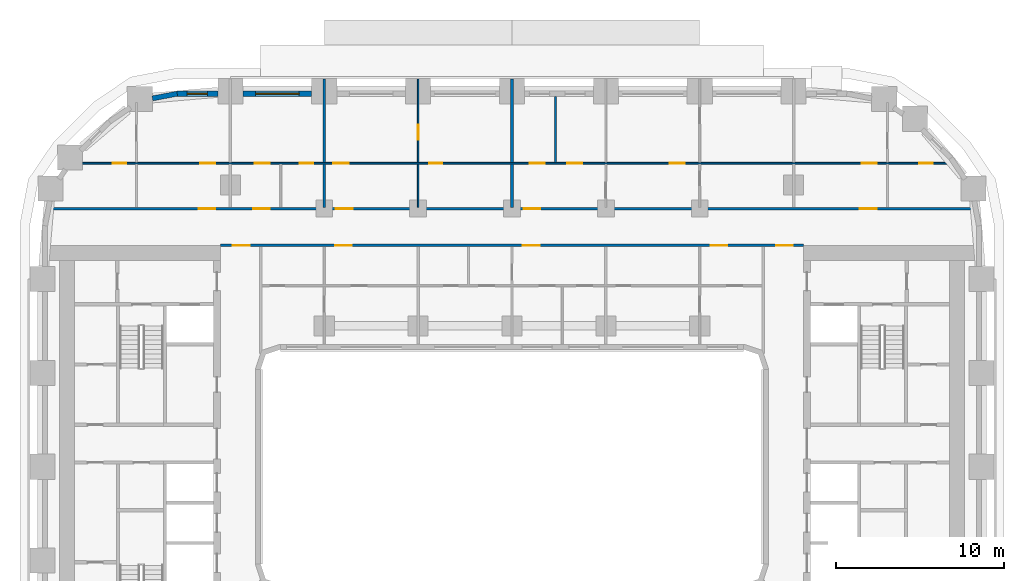
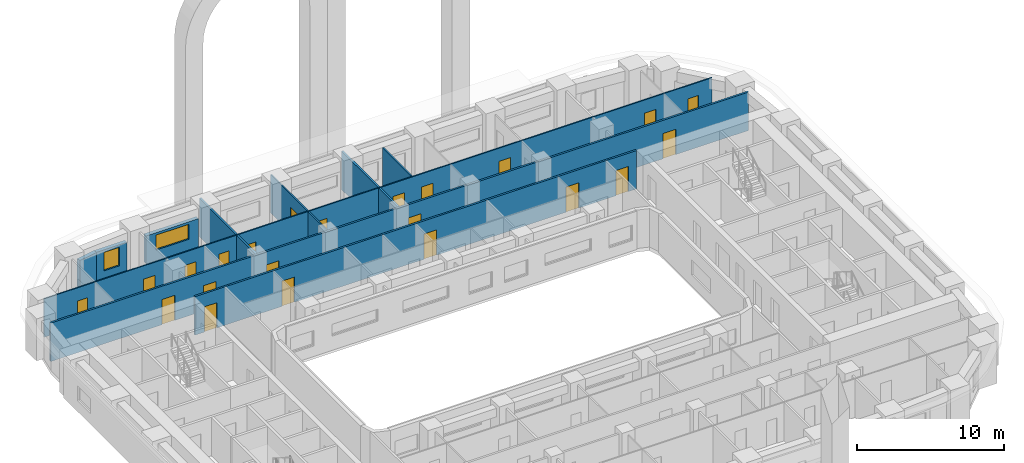
# One storey, part 8 of 21: 22 doors, 13 walls, 2 windows, 24 openings.
"""IFC4 building model written with IfcOpenShell, lengths in metres."""

import ifcopenshell
import ifcopenshell.guid

model = None  # the IFC model being written
_history = None  # IfcOwnerHistory: only IFC2X3 demands one
_inside = {}  # id of a spatial element -> (the spatial element, [elements in it])
_under = {}  # id of a project, library or spatial element -> (it, [spatial elements below it])
_declared = {}  # id of a project -> (the project, [libraries it declares])
_typed = {}  # id of a type object -> (the type object, [elements of that type])
_made_of = {}  # id of a material, layer set ... -> (it, [elements and type objects made of it])


def new_model(schema):
    """Start an empty IFC model of exactly this schema.

    Asked for "IFC4X3", IfcOpenShell would pick the latest addendum, in which some entities
    have other attributes; the version numbers below select the first issue.
    IFC2X3 requires an IfcOwnerHistory on every rooted entity: one is made here for all.
    """
    global model, _history
    if schema == "IFC4X3":
        model = ifcopenshell.file(schema_version=(4, 3, 0, 0))
    else:
        model = ifcopenshell.file(schema=schema)
    _inside.clear()
    _under.clear()
    _declared.clear()
    _typed.clear()
    _made_of.clear()
    _history = None
    if model.schema == "IFC2X3":
        org = make("IfcOrganization", Name="unknown")
        user = make(
            "IfcPersonAndOrganization",
            ThePerson=make("IfcPerson", FamilyName="unknown"),
            TheOrganization=org,
        )
        app = make(
            "IfcApplication",
            ApplicationDeveloper=org,
            Version="unknown",
            ApplicationFullName="unknown",
            ApplicationIdentifier="unknown",
        )
        _history = make(
            "IfcOwnerHistory",
            OwningUser=user,
            OwningApplication=app,
            ChangeAction="ADDED",
            CreationDate=0,
        )
    return model


def make(cls, **values):
    """One entity of the class cls with the attributes given. An attribute that is None is left unset."""
    return model.create_entity(
        cls, **{name: value for name, value in values.items() if value is not None}
    )


def rooted(cls, **values):
    """An entity with a GlobalId (a new one), such as an element, a storey or a relation."""
    return make(cls, GlobalId=ifcopenshell.guid.new(), OwnerHistory=_history, **values)


def si_unit(unit_type, name, prefix=None):
    """IfcSIUnit, for example si_unit("LENGTHUNIT", "METRE", prefix="MILLI")."""
    return make("IfcSIUnit", UnitType=unit_type, Prefix=prefix, Name=name)


def assignment(units):
    """IfcUnitAssignment: the units of a project."""
    return None if units is None else make("IfcUnitAssignment", Units=units)


def point(xyz):
    """IfcCartesianPoint."""
    return None if xyz is None else make("IfcCartesianPoint", Coordinates=xyz)


def direction(xyz):
    """IfcDirection."""
    return None if xyz is None else make("IfcDirection", DirectionRatios=xyz)


def frame(location, z_axis=None, x_axis=None):
    """IfcAxis2Placement3D, a coordinate frame: its origin and axes. An axis left out is left unset."""
    return make(
        "IfcAxis2Placement3D",
        Location=point(location),
        Axis=direction(z_axis),
        RefDirection=direction(x_axis),
    )


def frame_2d(location, x_axis=None):
    """IfcAxis2Placement2D, a coordinate frame in the plane: its origin and x axis."""
    return make(
        "IfcAxis2Placement2D", Location=point(location), RefDirection=direction(x_axis)
    )


def origin():
    """The frame at (0, 0, 0) with its axes left unset."""
    return frame((0.0, 0.0, 0.0))


def place(relative_to, where):
    """IfcLocalPlacement: puts the frame where relative to a parent placement (None: the world)."""
    return make(
        "IfcLocalPlacement", PlacementRelTo=relative_to, RelativePlacement=where
    )


def context(
    kind, dimensions, precision=None, world=None, true_north=None, identifier=None
):
    """IfcGeometricRepresentationContext, for example the 3D "Model" context."""
    return make(
        "IfcGeometricRepresentationContext",
        ContextIdentifier=identifier,
        ContextType=kind,
        CoordinateSpaceDimension=dimensions,
        Precision=precision,
        WorldCoordinateSystem=world,
        TrueNorth=true_north,
    )


def subcontext(parent, identifier, kind, view, scale=None):
    """IfcGeometricRepresentationSubContext, for example "Body" below "Model"."""
    return make(
        "IfcGeometricRepresentationSubContext",
        ContextIdentifier=identifier,
        ContextType=kind,
        ParentContext=parent,
        TargetScale=scale,
        TargetView=view,
    )


def project(units=None, contexts=None):
    """IfcProject with its units and contexts."""
    return rooted(
        "IfcProject",
        Name="project",
        RepresentationContexts=contexts,
        UnitsInContext=assignment(units),
    )


def spatial(cls, under=None, at=None, **own):
    """A site, building, storey or space (cls), placed at a placement, below another one or the project."""
    s = rooted(cls, ObjectPlacement=at, **own)
    if under is not None:
        _under.setdefault(under.id(), (under, []))[1].append(s)
    return s


def profile(cls, at=None, kind="AREA", **sizes):
    """A parametric profile (cls). Its sizes go by their IFC names, for example OverallWidth=200.0."""
    return make(cls, ProfileType=kind, Position=at, **sizes)


def rectangle(**sizes):
    """IfcRectangleProfileDef."""
    return profile("IfcRectangleProfileDef", **sizes)


def extrude(swept, where, along, depth):
    """IfcExtrudedAreaSolid: the profile swept, set in the frame where, extruded along a direction by depth."""
    return make(
        "IfcExtrudedAreaSolid",
        SweptArea=swept,
        Position=where,
        ExtrudedDirection=direction(along),
        Depth=depth,
    )


def shape(context_of_items, identifier, shape_type, items):
    """IfcShapeRepresentation: the items that make up one representation, for example the "Body"."""
    return make(
        "IfcShapeRepresentation",
        ContextOfItems=context_of_items,
        RepresentationIdentifier=identifier,
        RepresentationType=shape_type,
        Items=items,
    )


def material(Name=None, Category=None):
    """IfcMaterial."""
    return make("IfcMaterial", Name=Name, Category=Category)


def layer(
    of_material, thickness, ventilated=None, Name=None, Category=None, Priority=None
):
    """IfcMaterialLayer: one layer of a wall or slab, of a material (None: an air gap)."""
    return make(
        "IfcMaterialLayer",
        Material=of_material,
        LayerThickness=thickness,
        IsVentilated=ventilated,
        Name=Name,
        Category=Category,
        Priority=Priority,
    )


def layer_set(layers, Name=None):
    """IfcMaterialLayerSet."""
    return make("IfcMaterialLayerSet", MaterialLayers=layers, LayerSetName=Name)


def made_of(thing, what):
    """Note that an element or type object is made of a material, layer set ...; save() writes the relation."""
    if what is not None:
        _made_of.setdefault(what.id(), (what, []))[1].append(thing)
    return thing


def type_object(cls, material=None, **own):
    """A type object (cls), such as IfcWallType, which elements share."""
    return made_of(rooted(cls, **own), material)


def element(
    cls,
    number,
    at=None,
    inside=None,
    cuts=None,
    type_object=None,
    material=None,
    context=None,
    identifier="Body",
    shape_type=None,
    held_by="IfcProductDefinitionShape",
    body=None,
    shapes=None,
    **own,
):
    """One element of the class cls, such as IfcWall. Its Tag is "e" and its number.

    at: its placement. inside: the storey or other place that contains it. cuts: it is an
    opening in that element (IfcRelVoidsElement). A single representation is given by context,
    identifier, shape_type and body (its items); several are given by shapes. held_by: the class
    of the entity that holds the representations. save() writes the other relations.
    """
    e = rooted(cls, Tag="e%d" % number, ObjectPlacement=at, **own)
    if body is not None:
        shapes = [shape(context, identifier, shape_type, body)]
    if shapes is not None:
        e.Representation = make(held_by, Representations=shapes)
    if inside is not None:
        _inside.setdefault(inside.id(), (inside, []))[1].append(e)
    if cuts is not None:
        rooted(
            "IfcRelVoidsElement", RelatingBuildingElement=cuts, RelatedOpeningElement=e
        )
    if type_object is not None:
        _typed.setdefault(type_object.id(), (type_object, []))[1].append(e)
    return made_of(e, material)


def fill(opening, filler):
    """IfcRelFillsElement: the door or window that sits in an opening."""
    return rooted(
        "IfcRelFillsElement",
        RelatingOpeningElement=opening,
        RelatedBuildingElement=filler,
    )


def aggregate(whole, parts):
    """IfcRelAggregates: a whole, such as a stair, and the parts it consists of."""
    return rooted("IfcRelAggregates", RelatingObject=whole, RelatedObjects=parts)


def save(model, path):
    """Write the relations noted so far, then the file.

    IfcRelAggregates (storeys below a building ...), IfcRelContainedInSpatialStructure (elements
    in a storey), IfcRelDefinesByType, IfcRelAssociatesMaterial and IfcRelDeclares: one each for
    every whole, place, type object, material and project.
    """
    for whole, parts in _under.values():
        aggregate(whole, parts)
    for where, things in _inside.values():
        rooted(
            "IfcRelContainedInSpatialStructure",
            RelatedElements=things,
            RelatingStructure=where,
        )
    for kind, things in _typed.values():
        rooted("IfcRelDefinesByType", RelatedObjects=things, RelatingType=kind)
    for what, things in _made_of.values():
        rooted("IfcRelAssociatesMaterial", RelatedObjects=things, RelatingMaterial=what)
    for by, libraries in _declared.values():
        rooted("IfcRelDeclares", RelatingContext=by, RelatedDefinitions=libraries)
    model.write(path)


model = new_model("IFC4")

# Units and contexts
model_context = context("Model", 3, precision=1e-05, world=origin(), true_north=direction((0.0, 1.0)))
body_context = subcontext(model_context, "Body", "Model", "MODEL_VIEW")
ifc_project = project(units=[si_unit("LENGTHUNIT", "METRE"), si_unit("AREAUNIT", "SQUARE_METRE"), si_unit("VOLUMEUNIT", "CUBIC_METRE"), si_unit("PLANEANGLEUNIT", "RADIAN"), si_unit("MASSUNIT", "GRAM", prefix="KILO")], contexts=[model_context])

# Site, building, storey
site_placement = place(None, origin())
site = spatial("IfcSite", under=ifc_project, at=site_placement, CompositionType="ELEMENT")
building_placement = place(site_placement, origin())
building = spatial("IfcBuilding", under=site, at=building_placement, Name="Kiln Ring Residences", CompositionType="ELEMENT")
storey_placement = place(building_placement, frame((0.0, 0.0, 51.5)))
storey = spatial("IfcBuildingStorey", under=building, at=storey_placement, Name="L12", CompositionType="ELEMENT", Elevation=51.5)

# Wall, opening, window
ifc_material_1 = material(Name="Brick masonry, dark clay brick", Category="masonry")
ifc_layer_1 = layer(ifc_material_1, 0.300048828125)
ifc_layer_set_1 = layer_set([ifc_layer_1], Name="EW-300 BRICK WALL")
wall_type_1 = type_object("IfcWallType", Name="EW-300 BRICK WALL", PredefinedType="SOLIDWALL", material=ifc_layer_set_1)
wall_1_placement = place(storey_placement, frame((-11.949951171875, 22.25, 0.0), z_axis=(0.0, 0.0, 1.0), x_axis=(-1.0, 0.0, 0.0)))
wall_1 = element("IfcWall", 1, at=wall_1_placement, inside=storey, type_object=wall_type_1, Name="Facade wall L12 34", PredefinedType="SOLIDWALL", context=body_context, shape_type="SweptSolid", body=[
    extrude(rectangle(XDim=4.10009765625, YDim=0.300048828125, at=frame_2d((2.050048828125, 0.0))), origin(), (0.0, 0.0, 1.0), 2.35009765625),
])
opening_1_placement = place(wall_1_placement, frame((0.75, 0.0, 0.89990234375)))
opening_1 = element("IfcOpeningElement", 2, at=opening_1_placement, cuts=wall_1, Name="Opening W3", PredefinedType="OPENING", context=body_context, shape_type="SweptSolid", body=[
    extrude(rectangle(XDim=2.60009765625, YDim=1.25, at=frame_2d((1.300048828125, 0.625))), frame((0.0, 0.159912109375, 0.0), z_axis=(0.0, -1.0, 0.0), x_axis=(1.0, 0.0, 0.0)), (0.0, 0.0, 1.0), 0.320068359375),
])
ifc_material_2 = material(Name="Aluminium frame with double glazing", Category="aluminium")
window_type_1 = type_object("IfcWindowType", Name="WINDOW 2600 x 1250", PartitioningType="SINGLE_PANEL", PredefinedType="WINDOW", material=ifc_material_2)
window_1_placement = place(opening_1_placement, origin())
window_1 = element("IfcWindow", 3, at=window_1_placement, inside=storey, type_object=window_type_1, Name="Window L12 20", OverallHeight=1.25, OverallWidth=2.60009765625, PartitioningType="SINGLE_PANEL", PredefinedType="WINDOW", context=body_context, shape_type="SweptSolid", body=[
    extrude(rectangle(XDim=2.60009765625, YDim=1.25, at=frame_2d((1.300048828125, 0.625))), frame((0.0, 0.030029296875, 0.0), z_axis=(0.0, -1.0, 0.0), x_axis=(1.0, 0.0, 0.0)), (0.0, 0.0, 1.0), 0.06005859375),
])
fill(opening_1, window_1)

wall_2_placement = place(storey_placement, frame((-17.550048828125, 22.25, 0.0), z_axis=(0.0, 0.0, 1.0), x_axis=(-1.0, 0.0, 0.0)))
wall_2 = element("IfcWall", 4, at=wall_2_placement, inside=storey, type_object=wall_type_1, Name="Facade wall L12 35", PredefinedType="SOLIDWALL", context=body_context, shape_type="SweptSolid", body=[
    extrude(rectangle(XDim=2.449951171875, YDim=0.300048828125, at=frame_2d((1.22509765625, 0.0))), origin(), (0.0, 0.0, 1.0), 2.35009765625),
])
opening_2_placement = place(wall_2_placement, frame((0.625, 0.0, 0.60009765625)))
opening_2 = element("IfcOpeningElement", 5, at=opening_2_placement, cuts=wall_2, Name="Opening W1", PredefinedType="OPENING", context=body_context, shape_type="SweptSolid", body=[
    extrude(rectangle(XDim=1.199951171875, YDim=1.550048828125, at=frame_2d((0.60009765625, 0.77490234375))), frame((0.0, 0.159912109375, 0.0), z_axis=(0.0, -1.0, 0.0), x_axis=(1.0, 0.0, 0.0)), (0.0, 0.0, 1.0), 0.320068359375),
])
ifc_material_3 = material(Name="Aluminium frame with double glazing", Category="aluminium")
window_type_2 = type_object("IfcWindowType", Name="WINDOW 1200 x 1550", PartitioningType="SINGLE_PANEL", PredefinedType="WINDOW", material=ifc_material_3)
window_2_placement = place(opening_2_placement, origin())
window_2 = element("IfcWindow", 6, at=window_2_placement, inside=storey, type_object=window_type_2, Name="Window L12 21", OverallHeight=1.550048828125, OverallWidth=1.199951171875, PartitioningType="SINGLE_PANEL", PredefinedType="WINDOW", context=body_context, shape_type="SweptSolid", body=[
    extrude(rectangle(XDim=1.199951171875, YDim=1.550048828125, at=frame_2d((0.60009765625, 0.77490234375))), frame((0.0, 0.030029296875, 0.0), z_axis=(0.0, -1.0, 0.0), x_axis=(1.0, 0.0, 0.0)), (0.0, 0.0, 1.0), 0.06005859375),
])
fill(opening_2, window_2)

# Wall
wall_3_placement = place(storey_placement, frame((-19.971923828125, 22.252685546875, 0.0), z_axis=(0.0, 0.0, 1.0), x_axis=(-0.982287454367, -0.187380247071, 0.0)))
element("IfcWall", 7, at=wall_3_placement, inside=storey, type_object=wall_type_1, Name="Facade wall L12 36", PredefinedType="SOLIDWALL", context=body_context, shape_type="SweptSolid", body=[
    extrude(rectangle(XDim=1.506103515625, YDim=0.300048828125, at=frame_2d((0.7529296875, 0.0))), origin(), (0.0, 0.0, 1.0), 2.35009765625),
])

# Wall, openings, doors
ifc_material_4 = material(Name="Gypsum board on steel studs", Category="steel")
ifc_layer_2 = layer(ifc_material_4, 0.10009765625)
ifc_layer_set_2 = layer_set([ifc_layer_2], Name="PARTITION-100")
wall_type_2 = type_object("IfcWallType", Name="PARTITION-100", PredefinedType="PARTITIONING", material=ifc_layer_set_2)
wall_4_placement = place(storey_placement, frame((-26.43994140625, 18.10009765625, 0.0), z_axis=(0.0, 0.0, 1.0), x_axis=(1.0, 0.0, 0.0)))
wall_4 = element("IfcWall", 8, at=wall_4_placement, inside=storey, type_object=wall_type_2, Name="Partition 007", PredefinedType="PARTITIONING", context=body_context, shape_type="SweptSolid", body=[
    extrude(rectangle(XDim=52.630126953125, YDim=0.10009765625, at=frame_2d((26.31494140625, 0.0))), origin(), (0.0, 0.0, 1.0), 3.199951171875),
])
opening_3_placement = place(wall_4_placement, frame((2.6259765625, 0.0, 0.0)))
opening_3 = element("IfcOpeningElement", 9, at=opening_3_placement, cuts=wall_4, Name="Opening L12-D020", PredefinedType="OPENING", context=body_context, shape_type="SweptSolid", body=[
    extrude(rectangle(XDim=0.800048828125, YDim=2.10009765625, at=frame_2d((0.39990234375, 1.050048828125))), frame((0.0, 0.06005859375, 0.0), z_axis=(0.0, -1.0, 0.0), x_axis=(1.0, 0.0, 0.0)), (0.0, 0.0, 1.0), 0.1201171875),
])
opening_4_placement = place(wall_4_placement, frame((7.840087890625, 0.0, 0.0)))
opening_4 = element("IfcOpeningElement", 10, at=opening_4_placement, cuts=wall_4, Name="Opening L12-D021", PredefinedType="OPENING", context=body_context, shape_type="SweptSolid", body=[
    extrude(rectangle(XDim=0.89990234375, YDim=2.10009765625, at=frame_2d((0.449951171875, 1.050048828125))), frame((0.0, 0.06005859375, 0.0), z_axis=(0.0, -1.0, 0.0), x_axis=(1.0, 0.0, 0.0)), (0.0, 0.0, 1.0), 0.1201171875),
])
opening_5_placement = place(wall_4_placement, frame((13.7900390625, 0.0, 0.0)))
opening_5 = element("IfcOpeningElement", 11, at=opening_5_placement, cuts=wall_4, Name="Opening L12-D024", PredefinedType="OPENING", context=body_context, shape_type="SweptSolid", body=[
    extrude(rectangle(XDim=0.800048828125, YDim=2.10009765625, at=frame_2d((0.39990234375, 1.050048828125))), frame((0.0, 0.06005859375, 0.0), z_axis=(0.0, -1.0, 0.0), x_axis=(1.0, 0.0, 0.0)), (0.0, 0.0, 1.0), 0.1201171875),
])
opening_6_placement = place(wall_4_placement, frame((11.090087890625, 0.0, 0.0)))
opening_6 = element("IfcOpeningElement", 12, at=opening_6_placement, cuts=wall_4, Name="Opening L12-D025", PredefinedType="OPENING", context=body_context, shape_type="SweptSolid", body=[
    extrude(rectangle(XDim=0.89990234375, YDim=2.10009765625, at=frame_2d((0.449951171875, 1.050048828125))), frame((0.0, 0.06005859375, 0.0), z_axis=(0.0, -1.0, 0.0), x_axis=(1.0, 0.0, 0.0)), (0.0, 0.0, 1.0), 0.1201171875),
])
opening_7_placement = place(wall_4_placement, frame((21.489990234375, 0.0, 0.0)))
opening_7 = element("IfcOpeningElement", 13, at=opening_7_placement, cuts=wall_4, Name="Opening L12-D027", PredefinedType="OPENING", context=body_context, shape_type="SweptSolid", body=[
    extrude(rectangle(XDim=0.800048828125, YDim=2.10009765625, at=frame_2d((0.39990234375, 1.050048828125))), frame((0.0, 0.06005859375, 0.0), z_axis=(0.0, -1.0, 0.0), x_axis=(1.0, 0.0, 0.0)), (0.0, 0.0, 1.0), 0.1201171875),
])
opening_8_placement = place(wall_4_placement, frame((15.7900390625, 0.0, 0.0)))
opening_8 = element("IfcOpeningElement", 14, at=opening_8_placement, cuts=wall_4, Name="Opening L12-D028", PredefinedType="OPENING", context=body_context, shape_type="SweptSolid", body=[
    extrude(rectangle(XDim=0.89990234375, YDim=2.10009765625, at=frame_2d((0.449951171875, 1.050048828125))), frame((0.0, 0.06005859375, 0.0), z_axis=(0.0, -1.0, 0.0), x_axis=(1.0, 0.0, 0.0)), (0.0, 0.0, 1.0), 0.1201171875),
])
opening_9_placement = place(wall_4_placement, frame((27.489990234375, 0.0, 0.0)))
opening_9 = element("IfcOpeningElement", 15, at=opening_9_placement, cuts=wall_4, Name="Opening L12-D033", PredefinedType="OPENING", context=body_context, shape_type="SweptSolid", body=[
    extrude(rectangle(XDim=0.89990234375, YDim=2.10009765625, at=frame_2d((0.449951171875, 1.050048828125))), frame((0.0, 0.06005859375, 0.0), z_axis=(0.0, -1.0, 0.0), x_axis=(1.0, 0.0, 0.0)), (0.0, 0.0, 1.0), 0.1201171875),
])
opening_10_placement = place(wall_4_placement, frame((29.739990234375, 0.0, 0.0)))
opening_10 = element("IfcOpeningElement", 16, at=opening_10_placement, cuts=wall_4, Name="Opening L12-D034", PredefinedType="OPENING", context=body_context, shape_type="SweptSolid", body=[
    extrude(rectangle(XDim=0.89990234375, YDim=2.10009765625, at=frame_2d((0.449951171875, 1.050048828125))), frame((0.0, 0.06005859375, 0.0), z_axis=(0.0, -1.0, 0.0), x_axis=(1.0, 0.0, 0.0)), (0.0, 0.0, 1.0), 0.1201171875),
])
opening_11_placement = place(wall_4_placement, frame((35.840087890625, 0.0, 0.0)))
opening_11 = element("IfcOpeningElement", 17, at=opening_11_placement, cuts=wall_4, Name="Opening L12-D035", PredefinedType="OPENING", context=body_context, shape_type="SweptSolid", body=[
    extrude(rectangle(XDim=0.89990234375, YDim=2.10009765625, at=frame_2d((0.449951171875, 1.050048828125))), frame((0.0, 0.06005859375, 0.0), z_axis=(0.0, -1.0, 0.0), x_axis=(1.0, 0.0, 0.0)), (0.0, 0.0, 1.0), 0.1201171875),
])
opening_12_placement = place(wall_4_placement, frame((50.739990234375, 0.0, 0.0)))
opening_12 = element("IfcOpeningElement", 18, at=opening_12_placement, cuts=wall_4, Name="Opening L12-D038", PredefinedType="OPENING", context=body_context, shape_type="SweptSolid", body=[
    extrude(rectangle(XDim=0.800048828125, YDim=2.10009765625, at=frame_2d((0.39990234375, 1.050048828125))), frame((0.0, 0.06005859375, 0.0), z_axis=(0.0, -1.0, 0.0), x_axis=(1.0, 0.0, 0.0)), (0.0, 0.0, 1.0), 0.1201171875),
])
opening_13_placement = place(wall_4_placement, frame((47.2900390625, 0.0, 0.0)))
opening_13 = element("IfcOpeningElement", 19, at=opening_13_placement, cuts=wall_4, Name="Opening L12-D039", PredefinedType="OPENING", context=body_context, shape_type="SweptSolid", body=[
    extrude(rectangle(XDim=0.89990234375, YDim=2.10009765625, at=frame_2d((0.449951171875, 1.050048828125))), frame((0.0, 0.06005859375, 0.0), z_axis=(0.0, -1.0, 0.0), x_axis=(1.0, 0.0, 0.0)), (0.0, 0.0, 1.0), 0.1201171875),
])
ifc_material_5 = material(Name="Timber door leaf", Category="wood")
door_type_1 = type_object("IfcDoorType", Name="FLAT-DOOR-800-PL", OperationType="SINGLE_SWING_LEFT", PredefinedType="DOOR", material=ifc_material_5)
door_1_placement = place(opening_3_placement, origin())
door_1 = element("IfcDoor", 20, at=door_1_placement, inside=storey, type_object=door_type_1, Name="Door L12-D020", OperationType="SINGLE_SWING_RIGHT", OverallHeight=2.10009765625, OverallWidth=0.800048828125, PredefinedType="DOOR", context=body_context, shape_type="SweptSolid", body=[
    extrude(rectangle(XDim=0.800048828125, YDim=2.10009765625, at=frame_2d((0.39990234375, 1.050048828125))), frame((0.0, 0.02490234375, 0.0), z_axis=(0.0, -1.0, 0.0), x_axis=(1.0, 0.0, 0.0)), (0.0, 0.0, 1.0), 0.050048828125),
])
fill(opening_3, door_1)
door_2_placement = place(opening_5_placement, origin())
door_2 = element("IfcDoor", 21, at=door_2_placement, inside=storey, type_object=door_type_1, Name="Door L12-D024", OperationType="SINGLE_SWING_RIGHT", OverallHeight=2.10009765625, OverallWidth=0.800048828125, PredefinedType="DOOR", context=body_context, shape_type="SweptSolid", body=[
    extrude(rectangle(XDim=0.800048828125, YDim=2.10009765625, at=frame_2d((0.39990234375, 1.050048828125))), frame((0.0, 0.02490234375, 0.0), z_axis=(0.0, -1.0, 0.0), x_axis=(1.0, 0.0, 0.0)), (0.0, 0.0, 1.0), 0.050048828125),
])
fill(opening_5, door_2)
door_3_placement = place(opening_7_placement, origin())
door_3 = element("IfcDoor", 22, at=door_3_placement, inside=storey, type_object=door_type_1, Name="Door L12-D027", OperationType="SINGLE_SWING_LEFT", OverallHeight=2.10009765625, OverallWidth=0.800048828125, PredefinedType="DOOR", context=body_context, shape_type="SweptSolid", body=[
    extrude(rectangle(XDim=0.800048828125, YDim=2.10009765625, at=frame_2d((0.39990234375, 1.050048828125))), frame((0.0, 0.02490234375, 0.0), z_axis=(0.0, -1.0, 0.0), x_axis=(1.0, 0.0, 0.0)), (0.0, 0.0, 1.0), 0.050048828125),
])
fill(opening_7, door_3)
door_4_placement = place(opening_12_placement, origin())
door_4 = element("IfcDoor", 23, at=door_4_placement, inside=storey, type_object=door_type_1, Name="Door L12-D038", OperationType="SINGLE_SWING_RIGHT", OverallHeight=2.10009765625, OverallWidth=0.800048828125, PredefinedType="DOOR", context=body_context, shape_type="SweptSolid", body=[
    extrude(rectangle(XDim=0.800048828125, YDim=2.10009765625, at=frame_2d((0.39990234375, 1.050048828125))), frame((0.0, 0.02490234375, 0.0), z_axis=(0.0, -1.0, 0.0), x_axis=(1.0, 0.0, 0.0)), (0.0, 0.0, 1.0), 0.050048828125),
])
fill(opening_12, door_4)
ifc_material_6 = material(Name="Timber door leaf", Category="wood")
door_type_2 = type_object("IfcDoorType", Name="FLAT-DOOR-900-PL", OperationType="SINGLE_SWING_LEFT", PredefinedType="DOOR", material=ifc_material_6)
door_5_placement = place(opening_4_placement, origin())
door_5 = element("IfcDoor", 24, at=door_5_placement, inside=storey, type_object=door_type_2, Name="Door L12-D021", OperationType="SINGLE_SWING_LEFT", OverallHeight=2.10009765625, OverallWidth=0.89990234375, PredefinedType="DOOR", context=body_context, shape_type="SweptSolid", body=[
    extrude(rectangle(XDim=0.89990234375, YDim=2.10009765625, at=frame_2d((0.449951171875, 1.050048828125))), frame((0.0, 0.02490234375, 0.0), z_axis=(0.0, -1.0, 0.0), x_axis=(1.0, 0.0, 0.0)), (0.0, 0.0, 1.0), 0.050048828125),
])
fill(opening_4, door_5)
door_6_placement = place(opening_6_placement, origin())
door_6 = element("IfcDoor", 25, at=door_6_placement, inside=storey, type_object=door_type_2, Name="Door L12-D025", OperationType="SINGLE_SWING_LEFT", OverallHeight=2.10009765625, OverallWidth=0.89990234375, PredefinedType="DOOR", context=body_context, shape_type="SweptSolid", body=[
    extrude(rectangle(XDim=0.89990234375, YDim=2.10009765625, at=frame_2d((0.449951171875, 1.050048828125))), frame((0.0, 0.02490234375, 0.0), z_axis=(0.0, -1.0, 0.0), x_axis=(1.0, 0.0, 0.0)), (0.0, 0.0, 1.0), 0.050048828125),
])
fill(opening_6, door_6)
door_7_placement = place(opening_8_placement, origin())
door_7 = element("IfcDoor", 26, at=door_7_placement, inside=storey, type_object=door_type_2, Name="Door L12-D028", OperationType="SINGLE_SWING_RIGHT", OverallHeight=2.10009765625, OverallWidth=0.89990234375, PredefinedType="DOOR", context=body_context, shape_type="SweptSolid", body=[
    extrude(rectangle(XDim=0.89990234375, YDim=2.10009765625, at=frame_2d((0.449951171875, 1.050048828125))), frame((0.0, 0.02490234375, 0.0), z_axis=(0.0, -1.0, 0.0), x_axis=(1.0, 0.0, 0.0)), (0.0, 0.0, 1.0), 0.050048828125),
])
fill(opening_8, door_7)
door_8_placement = place(opening_9_placement, origin())
door_8 = element("IfcDoor", 27, at=door_8_placement, inside=storey, type_object=door_type_2, Name="Door L12-D033", OperationType="SINGLE_SWING_LEFT", OverallHeight=2.10009765625, OverallWidth=0.89990234375, PredefinedType="DOOR", context=body_context, shape_type="SweptSolid", body=[
    extrude(rectangle(XDim=0.89990234375, YDim=2.10009765625, at=frame_2d((0.449951171875, 1.050048828125))), frame((0.0, 0.02490234375, 0.0), z_axis=(0.0, -1.0, 0.0), x_axis=(1.0, 0.0, 0.0)), (0.0, 0.0, 1.0), 0.050048828125),
])
fill(opening_9, door_8)
door_9_placement = place(opening_10_placement, origin())
door_9 = element("IfcDoor", 28, at=door_9_placement, inside=storey, type_object=door_type_2, Name="Door L12-D034", OperationType="SINGLE_SWING_RIGHT", OverallHeight=2.10009765625, OverallWidth=0.89990234375, PredefinedType="DOOR", context=body_context, shape_type="SweptSolid", body=[
    extrude(rectangle(XDim=0.89990234375, YDim=2.10009765625, at=frame_2d((0.449951171875, 1.050048828125))), frame((0.0, 0.02490234375, 0.0), z_axis=(0.0, -1.0, 0.0), x_axis=(1.0, 0.0, 0.0)), (0.0, 0.0, 1.0), 0.050048828125),
])
fill(opening_10, door_9)
door_10_placement = place(opening_11_placement, origin())
door_10 = element("IfcDoor", 29, at=door_10_placement, inside=storey, type_object=door_type_2, Name="Door L12-D035", OperationType="SINGLE_SWING_LEFT", OverallHeight=2.10009765625, OverallWidth=0.89990234375, PredefinedType="DOOR", context=body_context, shape_type="SweptSolid", body=[
    extrude(rectangle(XDim=0.89990234375, YDim=2.10009765625, at=frame_2d((0.449951171875, 1.050048828125))), frame((0.0, 0.02490234375, 0.0), z_axis=(0.0, -1.0, 0.0), x_axis=(1.0, 0.0, 0.0)), (0.0, 0.0, 1.0), 0.050048828125),
])
fill(opening_11, door_10)
door_11_placement = place(opening_13_placement, origin())
door_11 = element("IfcDoor", 30, at=door_11_placement, inside=storey, type_object=door_type_2, Name="Door L12-D039", OperationType="SINGLE_SWING_LEFT", OverallHeight=2.10009765625, OverallWidth=0.89990234375, PredefinedType="DOOR", context=body_context, shape_type="SweptSolid", body=[
    extrude(rectangle(XDim=0.89990234375, YDim=2.10009765625, at=frame_2d((0.449951171875, 1.050048828125))), frame((0.0, 0.02490234375, 0.0), z_axis=(0.0, -1.0, 0.0), x_axis=(1.0, 0.0, 0.0)), (0.0, 0.0, 1.0), 0.050048828125),
])
fill(opening_13, door_11)

# Wall
wall_5_placement = place(storey_placement, frame((-5.60009765625, 15.47509765625, 0.0), z_axis=(0.0, 0.0, 1.0), x_axis=(0.0, 1.0, 0.0)))
element("IfcWall", 31, at=wall_5_placement, inside=storey, type_object=wall_type_2, Name="Partition 029", PredefinedType="PARTITIONING", context=body_context, shape_type="SweptSolid", body=[
    extrude(rectangle(XDim=2.574951171875, YDim=0.10009765625, at=frame_2d((1.28759765625, 0.0))), origin(), (0.0, 0.0, 1.0), 3.199951171875),
])

# Wall, opening, door
wall_6_placement = place(storey_placement, frame((-5.60009765625, 18.14990234375, 0.0), z_axis=(0.0, 0.0, 1.0), x_axis=(0.0, 1.0, 0.0)))
wall_6 = element("IfcWall", 32, at=wall_6_placement, inside=storey, type_object=wall_type_2, Name="Partition 030", PredefinedType="PARTITIONING", context=body_context, shape_type="SweptSolid", body=[
    extrude(rectangle(XDim=4.97998046875, YDim=0.10009765625, at=frame_2d((2.489990234375, 0.0))), origin(), (0.0, 0.0, 1.0), 3.199951171875),
])
opening_14_placement = place(wall_6_placement, frame((1.35009765625, 0.0, 0.0)))
opening_14 = element("IfcOpeningElement", 33, at=opening_14_placement, cuts=wall_6, Name="Opening L12-D029", PredefinedType="OPENING", context=body_context, shape_type="SweptSolid", body=[
    extrude(rectangle(XDim=0.89990234375, YDim=2.10009765625, at=frame_2d((0.449951171875, 1.050048828125))), frame((0.0, 0.06005859375, 0.0), z_axis=(0.0, -1.0, 0.0), x_axis=(1.0, 0.0, 0.0)), (0.0, 0.0, 1.0), 0.1201171875),
])
door_12_placement = place(opening_14_placement, origin())
door_12 = element("IfcDoor", 34, at=door_12_placement, inside=storey, type_object=door_type_2, Name="Door L12-D029", OperationType="SINGLE_SWING_LEFT", OverallHeight=2.10009765625, OverallWidth=0.89990234375, PredefinedType="DOOR", context=body_context, shape_type="SweptSolid", body=[
    extrude(rectangle(XDim=0.89990234375, YDim=2.10009765625, at=frame_2d((0.449951171875, 1.050048828125))), frame((0.0, 0.02490234375, 0.0), z_axis=(0.0, -1.0, 0.0), x_axis=(1.0, 0.0, 0.0)), (0.0, 0.0, 1.0), 0.050048828125),
])
fill(opening_14, door_12)

# Wall
wall_7_placement = place(storey_placement, frame((2.60009765625, 18.14990234375, 0.0), z_axis=(0.0, 0.0, 1.0), x_axis=(0.0, 1.0, 0.0)))
element("IfcWall", 35, at=wall_7_placement, inside=storey, type_object=wall_type_2, Name="Partition 046", PredefinedType="PARTITIONING", context=body_context, shape_type="SweptSolid", body=[
    extrude(rectangle(XDim=3.93017578125, YDim=0.10009765625, at=frame_2d((1.965087890625, 0.0))), origin(), (0.0, 0.0, 1.0), 3.199951171875),
])

# Wall, openings, doors
ifc_material_7 = material(Name="Brick masonry partition", Category="masonry")
ifc_layer_3 = layer(ifc_material_7, 0.14990234375)
ifc_layer_set_3 = layer_set([ifc_layer_3], Name="PARTITION-150-ei60")
wall_type_3 = type_object("IfcWallType", Name="PARTITION-150-ei60", PredefinedType="PARTITIONING", material=ifc_layer_set_3)
wall_8_placement = place(storey_placement, frame((-17.39990234375, 13.199951171875, 0.0), z_axis=(0.0, 0.0, 1.0), x_axis=(1.0, 0.0, 0.0)))
wall_8 = element("IfcWall", 36, at=wall_8_placement, inside=storey, type_object=wall_type_3, Name="Partition 005", PredefinedType="PARTITIONING", context=body_context, shape_type="SweptSolid", body=[
    extrude(rectangle(XDim=34.7998046875, YDim=0.14990234375, at=frame_2d((17.39990234375, 0.0))), origin(), (0.0, 0.0, 1.0), 3.199951171875),
])
opening_15_placement = place(wall_8_placement, frame((0.75, 0.0, 0.0)))
opening_15 = element("IfcOpeningElement", 37, at=opening_15_placement, cuts=wall_8, Name="Opening L12-D001", PredefinedType="OPENING", context=body_context, shape_type="SweptSolid", body=[
    extrude(rectangle(XDim=1.0, YDim=2.10009765625, at=frame_2d((0.5, 1.050048828125))), frame((0.0, 0.0849609375, 0.0), z_axis=(0.0, -1.0, 0.0), x_axis=(1.0, 0.0, 0.0)), (0.0, 0.0, 1.0), 0.169921875),
])
opening_16_placement = place(wall_8_placement, frame((33.14990234375, 0.0, 0.0)))
opening_16 = element("IfcOpeningElement", 38, at=opening_16_placement, cuts=wall_8, Name="Opening L12-D002", PredefinedType="OPENING", context=body_context, shape_type="SweptSolid", body=[
    extrude(rectangle(XDim=1.0, YDim=2.10009765625, at=frame_2d((0.5, 1.050048828125))), frame((0.0, 0.0849609375, 0.0), z_axis=(0.0, -1.0, 0.0), x_axis=(1.0, 0.0, 0.0)), (0.0, 0.0, 1.0), 0.169921875),
])
opening_17_placement = place(wall_8_placement, frame((6.85009765625, 0.0, 0.0)))
opening_17 = element("IfcOpeningElement", 39, at=opening_17_placement, cuts=wall_8, Name="Opening L12-D005", PredefinedType="OPENING", context=body_context, shape_type="SweptSolid", body=[
    extrude(rectangle(XDim=1.0, YDim=2.10009765625, at=frame_2d((0.5, 1.050048828125))), frame((0.0, 0.0849609375, 0.0), z_axis=(0.0, -1.0, 0.0), x_axis=(1.0, 0.0, 0.0)), (0.0, 0.0, 1.0), 0.169921875),
])
opening_18_placement = place(wall_8_placement, frame((18.050048828125, 0.0, 0.0)))
opening_18 = element("IfcOpeningElement", 40, at=opening_18_placement, cuts=wall_8, Name="Opening L12-D009", PredefinedType="OPENING", context=body_context, shape_type="SweptSolid", body=[
    extrude(rectangle(XDim=1.0, YDim=2.10009765625, at=frame_2d((0.5, 1.050048828125))), frame((0.0, 0.0849609375, 0.0), z_axis=(0.0, -1.0, 0.0), x_axis=(1.0, 0.0, 0.0)), (0.0, 0.0, 1.0), 0.169921875),
])
opening_19_placement = place(wall_8_placement, frame((29.25, 0.0, 0.0)))
opening_19 = element("IfcOpeningElement", 41, at=opening_19_placement, cuts=wall_8, Name="Opening L12-D015", PredefinedType="OPENING", context=body_context, shape_type="SweptSolid", body=[
    extrude(rectangle(XDim=1.0, YDim=2.10009765625, at=frame_2d((0.5, 1.050048828125))), frame((0.0, 0.0849609375, 0.0), z_axis=(0.0, -1.0, 0.0), x_axis=(1.0, 0.0, 0.0)), (0.0, 0.0, 1.0), 0.169921875),
])
ifc_material_8 = material(Name="Steel faced fire door leaf", Category="steel")
door_type_3 = type_object("IfcDoorType", Name="FLAT-DOOR-1000-FR", OperationType="SINGLE_SWING_LEFT", PredefinedType="DOOR", material=ifc_material_8)
door_13_placement = place(opening_15_placement, origin())
door_13 = element("IfcDoor", 42, at=door_13_placement, inside=storey, type_object=door_type_3, Name="Door L12-D001", OperationType="SINGLE_SWING_RIGHT", OverallHeight=2.10009765625, OverallWidth=1.0, PredefinedType="DOOR", context=body_context, shape_type="SweptSolid", body=[
    extrude(rectangle(XDim=1.0, YDim=2.10009765625, at=frame_2d((0.5, 1.050048828125))), frame((0.0, 0.02490234375, 0.0), z_axis=(0.0, -1.0, 0.0), x_axis=(1.0, 0.0, 0.0)), (0.0, 0.0, 1.0), 0.050048828125),
])
fill(opening_15, door_13)
door_14_placement = place(opening_16_placement, origin())
door_14 = element("IfcDoor", 43, at=door_14_placement, inside=storey, type_object=door_type_3, Name="Door L12-D002", OperationType="SINGLE_SWING_LEFT", OverallHeight=2.10009765625, OverallWidth=1.0, PredefinedType="DOOR", context=body_context, shape_type="SweptSolid", body=[
    extrude(rectangle(XDim=1.0, YDim=2.10009765625, at=frame_2d((0.5, 1.050048828125))), frame((0.0, 0.02490234375, 0.0), z_axis=(0.0, -1.0, 0.0), x_axis=(1.0, 0.0, 0.0)), (0.0, 0.0, 1.0), 0.050048828125),
])
fill(opening_16, door_14)
door_15_placement = place(opening_17_placement, origin())
door_15 = element("IfcDoor", 44, at=door_15_placement, inside=storey, type_object=door_type_3, Name="Door L12-D005", OperationType="SINGLE_SWING_LEFT", OverallHeight=2.10009765625, OverallWidth=1.0, PredefinedType="DOOR", context=body_context, shape_type="SweptSolid", body=[
    extrude(rectangle(XDim=1.0, YDim=2.10009765625, at=frame_2d((0.5, 1.050048828125))), frame((0.0, 0.02490234375, 0.0), z_axis=(0.0, -1.0, 0.0), x_axis=(1.0, 0.0, 0.0)), (0.0, 0.0, 1.0), 0.050048828125),
])
fill(opening_17, door_15)
door_16_placement = place(opening_18_placement, origin())
door_16 = element("IfcDoor", 45, at=door_16_placement, inside=storey, type_object=door_type_3, Name="Door L12-D009", OperationType="SINGLE_SWING_LEFT", OverallHeight=2.10009765625, OverallWidth=1.0, PredefinedType="DOOR", context=body_context, shape_type="SweptSolid", body=[
    extrude(rectangle(XDim=1.0, YDim=2.10009765625, at=frame_2d((0.5, 1.050048828125))), frame((0.0, 0.02490234375, 0.0), z_axis=(0.0, -1.0, 0.0), x_axis=(1.0, 0.0, 0.0)), (0.0, 0.0, 1.0), 0.050048828125),
])
fill(opening_18, door_16)
door_17_placement = place(opening_19_placement, origin())
door_17 = element("IfcDoor", 46, at=door_17_placement, inside=storey, type_object=door_type_3, Name="Door L12-D015", OperationType="SINGLE_SWING_LEFT", OverallHeight=2.10009765625, OverallWidth=1.0, PredefinedType="DOOR", context=body_context, shape_type="SweptSolid", body=[
    extrude(rectangle(XDim=1.0, YDim=2.10009765625, at=frame_2d((0.5, 1.050048828125))), frame((0.0, 0.02490234375, 0.0), z_axis=(0.0, -1.0, 0.0), x_axis=(1.0, 0.0, 0.0)), (0.0, 0.0, 1.0), 0.050048828125),
])
fill(opening_19, door_17)

wall_9_placement = place(storey_placement, frame((-27.48388671875, 15.39990234375, 0.0), z_axis=(0.0, 0.0, 1.0), x_axis=(1.0, 0.0, 0.0)))
wall_9 = element("IfcWall", 47, at=wall_9_placement, inside=storey, type_object=wall_type_3, Name="Partition 006", PredefinedType="PARTITIONING", context=body_context, shape_type="SweptSolid", body=[
    extrude(rectangle(XDim=54.9677734375, YDim=0.14990234375, at=frame_2d((27.48388671875, 0.0))), origin(), (0.0, 0.0, 1.0), 3.199951171875),
])
opening_20_placement = place(wall_9_placement, frame((8.78369140625, 0.0, 0.0)))
opening_20 = element("IfcOpeningElement", 48, at=opening_20_placement, cuts=wall_9, Name="Opening L12-D019", PredefinedType="OPENING", context=body_context, shape_type="SweptSolid", body=[
    extrude(rectangle(XDim=1.0, YDim=2.10009765625, at=frame_2d((0.5, 1.050048828125))), frame((0.0, 0.0849609375, 0.0), z_axis=(0.0, -1.0, 0.0), x_axis=(1.0, 0.0, 0.0)), (0.0, 0.0, 1.0), 0.169921875),
])
opening_21_placement = place(wall_9_placement, frame((12.03369140625, 0.0, 0.0)))
opening_21 = element("IfcOpeningElement", 49, at=opening_21_placement, cuts=wall_9, Name="Opening L12-D023", PredefinedType="OPENING", context=body_context, shape_type="SweptSolid", body=[
    extrude(rectangle(XDim=1.0, YDim=2.10009765625, at=frame_2d((0.5, 1.050048828125))), frame((0.0, 0.0849609375, 0.0), z_axis=(0.0, -1.0, 0.0), x_axis=(1.0, 0.0, 0.0)), (0.0, 0.0, 1.0), 0.169921875),
])
opening_22_placement = place(wall_9_placement, frame((16.98388671875, 0.0, 0.0)))
opening_22 = element("IfcOpeningElement", 50, at=opening_22_placement, cuts=wall_9, Name="Opening L12-D026", PredefinedType="OPENING", context=body_context, shape_type="SweptSolid", body=[
    extrude(rectangle(XDim=1.0, YDim=2.10009765625, at=frame_2d((0.5, 1.050048828125))), frame((0.0, 0.0849609375, 0.0), z_axis=(0.0, -1.0, 0.0), x_axis=(1.0, 0.0, 0.0)), (0.0, 0.0, 1.0), 0.169921875),
])
opening_23_placement = place(wall_9_placement, frame((28.183837890625, 0.0, 0.0)))
opening_23 = element("IfcOpeningElement", 51, at=opening_23_placement, cuts=wall_9, Name="Opening L12-D030", PredefinedType="OPENING", context=body_context, shape_type="SweptSolid", body=[
    extrude(rectangle(XDim=1.0, YDim=2.10009765625, at=frame_2d((0.5, 1.050048828125))), frame((0.0, 0.0849609375, 0.0), z_axis=(0.0, -1.0, 0.0), x_axis=(1.0, 0.0, 0.0)), (0.0, 0.0, 1.0), 0.169921875),
])
opening_24_placement = place(wall_9_placement, frame((48.23388671875, 0.0, 0.0)))
opening_24 = element("IfcOpeningElement", 52, at=opening_24_placement, cuts=wall_9, Name="Opening L12-D037", PredefinedType="OPENING", context=body_context, shape_type="SweptSolid", body=[
    extrude(rectangle(XDim=1.0, YDim=2.10009765625, at=frame_2d((0.5, 1.050048828125))), frame((0.0, 0.0849609375, 0.0), z_axis=(0.0, -1.0, 0.0), x_axis=(1.0, 0.0, 0.0)), (0.0, 0.0, 1.0), 0.169921875),
])
door_18_placement = place(opening_20_placement, origin())
door_18 = element("IfcDoor", 53, at=door_18_placement, inside=storey, type_object=door_type_3, Name="Door L12-D019", OperationType="SINGLE_SWING_LEFT", OverallHeight=2.10009765625, OverallWidth=1.0, PredefinedType="DOOR", context=body_context, shape_type="SweptSolid", body=[
    extrude(rectangle(XDim=1.0, YDim=2.10009765625, at=frame_2d((0.5, 1.050048828125))), frame((0.0, 0.02490234375, 0.0), z_axis=(0.0, -1.0, 0.0), x_axis=(1.0, 0.0, 0.0)), (0.0, 0.0, 1.0), 0.050048828125),
])
fill(opening_20, door_18)
door_19_placement = place(opening_21_placement, origin())
door_19 = element("IfcDoor", 54, at=door_19_placement, inside=storey, type_object=door_type_3, Name="Door L12-D023", OperationType="SINGLE_SWING_LEFT", OverallHeight=2.10009765625, OverallWidth=1.0, PredefinedType="DOOR", context=body_context, shape_type="SweptSolid", body=[
    extrude(rectangle(XDim=1.0, YDim=2.10009765625, at=frame_2d((0.5, 1.050048828125))), frame((0.0, 0.02490234375, 0.0), z_axis=(0.0, -1.0, 0.0), x_axis=(1.0, 0.0, 0.0)), (0.0, 0.0, 1.0), 0.050048828125),
])
fill(opening_21, door_19)
door_20_placement = place(opening_22_placement, origin())
door_20 = element("IfcDoor", 55, at=door_20_placement, inside=storey, type_object=door_type_3, Name="Door L12-D026", OperationType="SINGLE_SWING_RIGHT", OverallHeight=2.10009765625, OverallWidth=1.0, PredefinedType="DOOR", context=body_context, shape_type="SweptSolid", body=[
    extrude(rectangle(XDim=1.0, YDim=2.10009765625, at=frame_2d((0.5, 1.050048828125))), frame((0.0, 0.02490234375, 0.0), z_axis=(0.0, -1.0, 0.0), x_axis=(1.0, 0.0, 0.0)), (0.0, 0.0, 1.0), 0.050048828125),
])
fill(opening_22, door_20)
door_21_placement = place(opening_23_placement, origin())
door_21 = element("IfcDoor", 56, at=door_21_placement, inside=storey, type_object=door_type_3, Name="Door L12-D030", OperationType="SINGLE_SWING_RIGHT", OverallHeight=2.10009765625, OverallWidth=1.0, PredefinedType="DOOR", context=body_context, shape_type="SweptSolid", body=[
    extrude(rectangle(XDim=1.0, YDim=2.10009765625, at=frame_2d((0.5, 1.050048828125))), frame((0.0, 0.02490234375, 0.0), z_axis=(0.0, -1.0, 0.0), x_axis=(1.0, 0.0, 0.0)), (0.0, 0.0, 1.0), 0.050048828125),
])
fill(opening_23, door_21)
door_22_placement = place(opening_24_placement, origin())
door_22 = element("IfcDoor", 57, at=door_22_placement, inside=storey, type_object=door_type_3, Name="Door L12-D037", OperationType="SINGLE_SWING_LEFT", OverallHeight=2.10009765625, OverallWidth=1.0, PredefinedType="DOOR", context=body_context, shape_type="SweptSolid", body=[
    extrude(rectangle(XDim=1.0, YDim=2.10009765625, at=frame_2d((0.5, 1.050048828125))), frame((0.0, 0.02490234375, 0.0), z_axis=(0.0, -1.0, 0.0), x_axis=(1.0, 0.0, 0.0)), (0.0, 0.0, 1.0), 0.050048828125),
])
fill(opening_24, door_22)

# Walls
wall_10_placement = place(storey_placement, frame((-11.199951171875, 15.47509765625, 0.0), z_axis=(0.0, 0.0, 1.0), x_axis=(0.0, 1.0, 0.0)))
element("IfcWall", 58, at=wall_10_placement, inside=storey, type_object=wall_type_3, Name="Partition 026", PredefinedType="PARTITIONING", context=body_context, shape_type="SweptSolid", body=[
    extrude(rectangle(XDim=2.574951171875, YDim=0.14990234375, at=frame_2d((1.28759765625, 0.0))), origin(), (0.0, 0.0, 1.0), 3.199951171875),
])
wall_11_placement = place(storey_placement, frame((-11.199951171875, 18.14990234375, 0.0), z_axis=(0.0, 0.0, 1.0), x_axis=(0.0, 1.0, 0.0)))
element("IfcWall", 59, at=wall_11_placement, inside=storey, type_object=wall_type_3, Name="Partition 027", PredefinedType="PARTITIONING", context=body_context, shape_type="SweptSolid", body=[
    extrude(rectangle(XDim=4.97998046875, YDim=0.14990234375, at=frame_2d((2.489990234375, 0.0))), origin(), (0.0, 0.0, 1.0), 3.199951171875),
])
wall_12_placement = place(storey_placement, frame((0.0, 15.47509765625, 0.0), z_axis=(0.0, 0.0, 1.0), x_axis=(0.0, 1.0, 0.0)))
element("IfcWall", 60, at=wall_12_placement, inside=storey, type_object=wall_type_3, Name="Partition 044", PredefinedType="PARTITIONING", context=body_context, shape_type="SweptSolid", body=[
    extrude(rectangle(XDim=2.574951171875, YDim=0.14990234375, at=frame_2d((1.28759765625, 0.0))), origin(), (0.0, 0.0, 1.0), 3.199951171875),
])
wall_13_placement = place(storey_placement, frame((0.0, 18.14990234375, 0.0), z_axis=(0.0, 0.0, 1.0), x_axis=(0.0, 1.0, 0.0)))
element("IfcWall", 61, at=wall_13_placement, inside=storey, type_object=wall_type_3, Name="Partition 045", PredefinedType="PARTITIONING", context=body_context, shape_type="SweptSolid", body=[
    extrude(rectangle(XDim=4.97998046875, YDim=0.14990234375, at=frame_2d((2.489990234375, 0.0))), origin(), (0.0, 0.0, 1.0), 3.199951171875),
])

save(model, "model.ifc")
